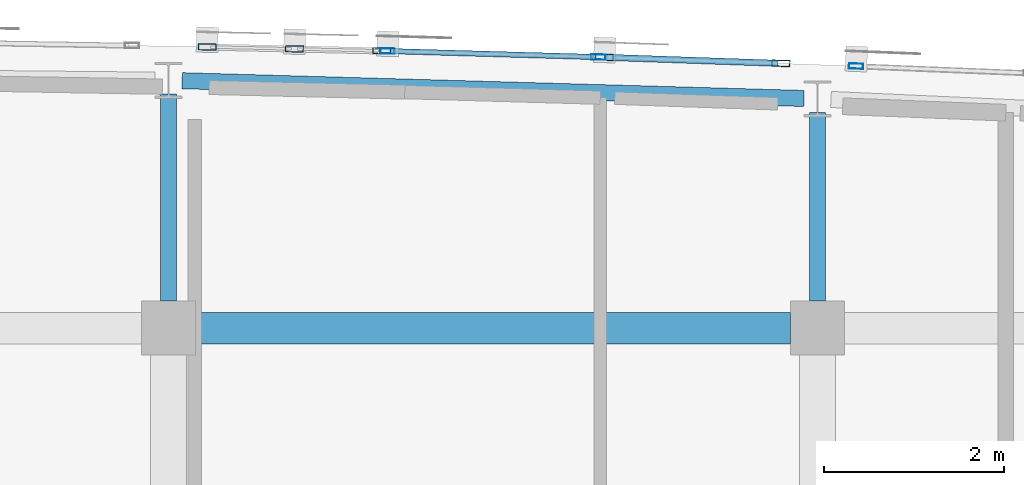
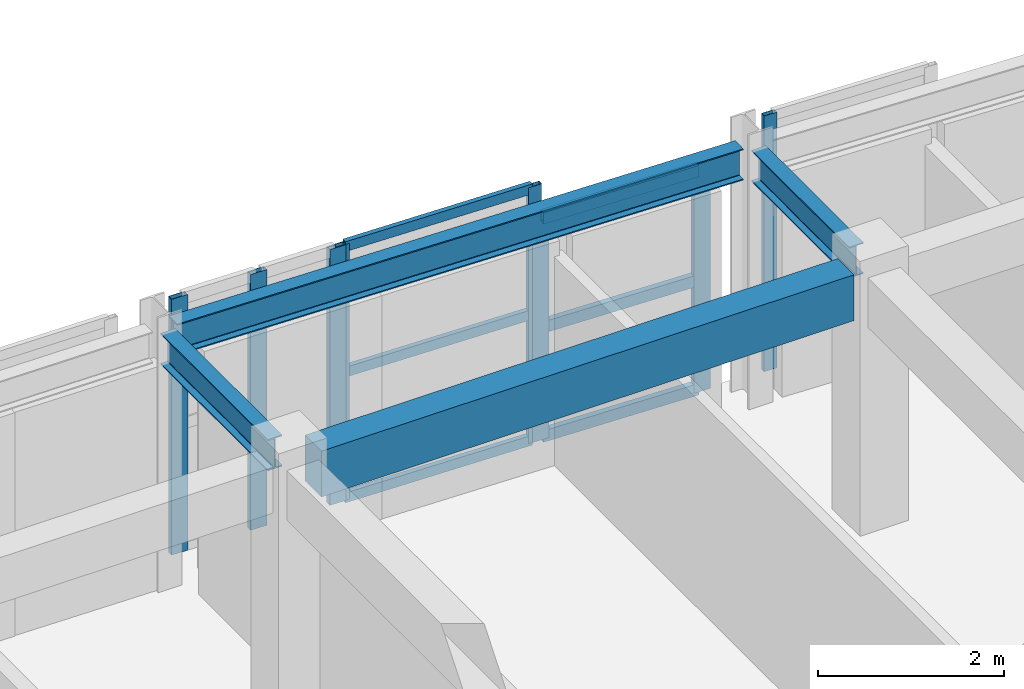
# One storey, part 20 of 50: 14 members, 4 beams, 4 elements without a shape of their own.
"""IFC4 building model written with IfcOpenShell, lengths in metres."""

from ifc_helpers import new_model, si_unit, direction, frame, origin, origin_2d, place, context, subcontext, project, spatial, rectangle, hollow_rectangle, i_section, extrude, material, layer, layer_set, material_profile, profile_set, type_object, element, aggregate, save


model = new_model("IFC4")

# Units and contexts
model_context = context("Model", 3, precision=1e-05, world=origin(), true_north=direction((0.0, 1.0)))
body_context = subcontext(model_context, "Body", "Model", "MODEL_VIEW")
ifc_project = project(units=[si_unit("LENGTHUNIT", "METRE"), si_unit("AREAUNIT", "SQUARE_METRE"), si_unit("VOLUMEUNIT", "CUBIC_METRE"), si_unit("PLANEANGLEUNIT", "RADIAN"), si_unit("MASSUNIT", "GRAM", prefix="KILO")], contexts=[model_context])

# Site, building, storey
site_placement = place(None, origin())
site = spatial("IfcSite", under=ifc_project, at=site_placement, CompositionType="ELEMENT")
building_placement = place(site_placement, origin())
building = spatial("IfcBuilding", under=site, at=building_placement, Name="Carrowvane Square Congress Hotel", CompositionType="ELEMENT")
storey_placement = place(building_placement, frame((0.0, 0.0, 22.800048828125)))
storey = spatial("IfcBuildingStorey", under=building, at=storey_placement, Name="L05", CompositionType="ELEMENT", Elevation=22.800048828125)

# Beams
ifc_material_1 = material(Name="Concrete C35/45", Category="concrete")
ifc_material_profile_1 = material_profile(ifc_material_1, rectangle(XDim=0.35009765625, YDim=0.60009765625, at=origin_2d()), Name="RC 350x600")
ifc_profile_set_1 = profile_set([ifc_material_profile_1], Name="Concrete C35/45")
beam_type_1 = type_object("IfcBeamType", Name="BM-RC-350x600", PredefinedType="BEAM", material=ifc_profile_set_1)
beam_1_placement = place(storey_placement, frame((105.5, 113.39990234375, 3.050048828125), z_axis=(1.0, 0.0, 0.0), x_axis=(0.0, 1.0, 0.0)))
element("IfcBeam", 1, at=beam_1_placement, inside=storey, type_object=beam_type_1, Name="L06 girder R/14-15", PredefinedType="BEAM", context=body_context, shape_type="SweptSolid", body=[
    extrude(rectangle(XDim=0.35009765625, YDim=0.60009765625, at=origin_2d()), origin(), (0.0, 0.0, 1.0), 6.60009765625),
])
ifc_material_2 = material(Name="Steel S355", Category="steel")
ifc_material_profile_2 = material_profile(ifc_material_2, i_section(OverallWidth=0.1787109375, OverallDepth=0.409423828125, WebThickness=0.0087890625, FlangeThickness=0.014404296875, FilletRadius=0.01025390625, at=origin_2d()), Name="UKB 406x178x67")
ifc_profile_set_2 = profile_set([ifc_material_profile_2], Name="Steel S355")
beam_type_2 = type_object("IfcBeamType", Name="BM-ST-UKB406", PredefinedType="BEAM", material=ifc_profile_set_2)
beam_2_placement = place(storey_placement, frame((105.349853515625, 116.1455078125, 3.145263671875), z_axis=(0.999591595899, -0.028576938382, 0.0), x_axis=(0.028576938382, 0.999591595899, 0.0)))
element("IfcBeam", 2, at=beam_2_placement, inside=storey, type_object=beam_type_2, Name="L06 curved north spandrel", PredefinedType="BEAM", context=body_context, shape_type="SweptSolid", body=[
    extrude(i_section(OverallWidth=0.1787109375, OverallDepth=0.409423828125, WebThickness=0.0087890625, FlangeThickness=0.014404296875, FilletRadius=0.01025390625, at=origin_2d()), origin(), (0.0, 0.0, 1.0), 6.903076171875),
])
beam_3_placement = place(storey_placement, frame((105.199951171875, 113.699951171875, 3.145263671875), z_axis=(0.0, 1.0, 0.0), x_axis=(-1.0, 0.0, 0.0)))
element("IfcBeam", 3, at=beam_3_placement, inside=storey, type_object=beam_type_2, Name="L06 radial north beam 14", PredefinedType="BEAM", context=body_context, shape_type="SweptSolid", body=[
    extrude(i_section(OverallWidth=0.1787109375, OverallDepth=0.409423828125, WebThickness=0.0087890625, FlangeThickness=0.014404296875, FilletRadius=0.01025390625, at=origin_2d()), origin(), (0.0, 0.0, 1.0), 2.2998046875),
])
beam_4_placement = place(storey_placement, frame((112.39990234375, 113.699951171875, 3.145263671875), z_axis=(0.0, 1.0, 0.0), x_axis=(-1.0, 0.0, 0.0)))
element("IfcBeam", 4, at=beam_4_placement, inside=storey, type_object=beam_type_2, Name="L06 radial north beam 15", PredefinedType="BEAM", context=body_context, shape_type="SweptSolid", body=[
    extrude(i_section(OverallWidth=0.1787109375, OverallDepth=0.409423828125, WebThickness=0.0087890625, FlangeThickness=0.014404296875, FilletRadius=0.01025390625, at=origin_2d()), origin(), (0.0, 0.0, 1.0), 2.093994140625),
])

# Curtain wall, members
ifc_material_3 = material(Name="Anodised aluminium", Category="aluminium")
ifc_layer_1 = layer(ifc_material_3, 0.162109375)
ifc_layer_set_1 = layer_set([ifc_layer_1], Name="Anodised aluminium")
curtain_wall_type_1 = type_object("IfcCurtainWallType", Name="CW-SYS-1", PredefinedType="NOTDEFINED", material=ifc_layer_set_1)
curtain_wall_1_placement = place(storey_placement, origin())
curtain_wall_1 = element("IfcCurtainWall", 5, at=curtain_wall_1_placement, inside=storey, type_object=curtain_wall_type_1, Name="L05 unitised curtain wall 336", PredefinedType="NOTDEFINED")
ifc_material_4 = material(Name="Anodised aluminium", Category="aluminium")
ifc_material_profile_3 = material_profile(ifc_material_4, hollow_rectangle(XDim=0.06005859375, YDim=0.159912109375, WallThickness=0.00390625, at=origin_2d()), Name="CW-ML 60x160x4")
ifc_profile_set_3 = profile_set([ifc_material_profile_3], Name="Anodised aluminium")
member_type_1 = type_object("IfcMemberType", Name="CW-MUL-1", PredefinedType="MULLION", material=ifc_profile_set_3)
member_1_placement = place(storey_placement, frame((107.6298828125, 116.474853515625, 0.0), z_axis=(0.0, 0.0, 1.0), x_axis=(0.028638010501, 0.999589848065, 0.0)))
member_1 = element("IfcMember", 6, at=member_1_placement, type_object=member_type_1, Name="CW-1 mullion 1", PredefinedType="MULLION", context=body_context, shape_type="SweptSolid", body=[
    extrude(hollow_rectangle(XDim=0.06005859375, YDim=0.159912109375, WallThickness=0.00390625, at=origin_2d()), origin(), (0.0, 0.0, 1.0), 3.349853515625),
])
member_2_placement = place(storey_placement, frame((109.969970703125, 116.40771484375, 0.0), z_axis=(0.0, 0.0, 1.0), x_axis=(0.028638010501, 0.999589848065, 0.0)))
member_2 = element("IfcMember", 7, at=member_2_placement, type_object=member_type_1, Name="CW-1 mullion 2", PredefinedType="MULLION", context=body_context, shape_type="SweptSolid", body=[
    extrude(hollow_rectangle(XDim=0.06005859375, YDim=0.159912109375, WallThickness=0.00390625, at=origin_2d()), origin(), (0.0, 0.0, 1.0), 3.349853515625),
])

# Curtain wall, member
ifc_material_5 = material(Name="Anodised aluminium", Category="aluminium")
ifc_layer_2 = layer(ifc_material_5, 0.18603515625)
ifc_layer_set_2 = layer_set([ifc_layer_2], Name="Anodised aluminium")
curtain_wall_type_2 = type_object("IfcCurtainWallType", Name="CW-SYS-3", PredefinedType="NOTDEFINED", material=ifc_layer_set_2)
curtain_wall_2_placement = place(storey_placement, origin())
curtain_wall_2 = element("IfcCurtainWall", 8, at=curtain_wall_2_placement, inside=storey, type_object=curtain_wall_type_2, Name="L05 unitised curtain wall 338", PredefinedType="NOTDEFINED")
member_3_placement = place(storey_placement, frame((112.828857421875, 116.306884765625, 0.0), z_axis=(0.0, 0.0, 1.0), x_axis=(0.040130957403, 0.999194428656, 0.0)))
member_3 = element("IfcMember", 9, at=member_3_placement, type_object=member_type_1, Name="CW-3 mullion 1", PredefinedType="MULLION", context=body_context, shape_type="SweptSolid", body=[
    extrude(hollow_rectangle(XDim=0.06005859375, YDim=0.159912109375, WallThickness=0.00390625, at=origin_2d()), origin(), (0.0, 0.0, 1.0), 3.349853515625),
])
aggregate(curtain_wall_2, [member_3])

# Curtain wall, members
ifc_material_6 = material(Name="Anodised aluminium", Category="aluminium")
ifc_layer_3 = layer(ifc_material_6, 0.24609375)
ifc_layer_set_3 = layer_set([ifc_layer_3], Name="Anodised aluminium")
curtain_wall_type_3 = type_object("IfcCurtainWallType", Name="CW-SYS-8", PredefinedType="NOTDEFINED", material=ifc_layer_set_3)
curtain_wall_3_placement = place(storey_placement, origin())
curtain_wall_3 = element("IfcCurtainWall", 10, at=curtain_wall_3_placement, inside=storey, type_object=curtain_wall_type_3, Name="L05 unitised curtain wall 335", PredefinedType="NOTDEFINED")
ifc_material_7 = material(Name="Anodised aluminium", Category="aluminium")
ifc_material_profile_4 = material_profile(ifc_material_7, hollow_rectangle(XDim=0.070068359375, YDim=0.199951171875, WallThickness=0.0048828125, at=origin_2d()), Name="CW-ML 70x200x5")
ifc_profile_set_4 = profile_set([ifc_material_profile_4], Name="Anodised aluminium")
member_type_2 = type_object("IfcMemberType", Name="CW-MUL-2", PredefinedType="MULLION", material=ifc_profile_set_4)
member_4_placement = place(storey_placement, frame((105.627197265625, 116.52001953125, 0.0), z_axis=(0.0, 0.0, 1.0), x_axis=(0.022517686606, 0.99974644475, 0.0)))
member_4 = element("IfcMember", 11, at=member_4_placement, type_object=member_type_2, Name="CW-8 mullion 1", PredefinedType="MULLION", context=body_context, shape_type="SweptSolid", body=[
    extrude(hollow_rectangle(XDim=0.070068359375, YDim=0.199951171875, WallThickness=0.0048828125, at=origin_2d()), origin(), (0.0, 0.0, 1.0), 3.349853515625),
])
member_5_placement = place(storey_placement, frame((106.59619140625, 116.498291015625, 0.0), z_axis=(0.0, 0.0, 1.0), x_axis=(0.022517686606, 0.99974644475, 0.0)))
member_5 = element("IfcMember", 12, at=member_5_placement, type_object=member_type_2, Name="CW-8 mullion 2", PredefinedType="MULLION", context=body_context, shape_type="SweptSolid", body=[
    extrude(hollow_rectangle(XDim=0.070068359375, YDim=0.199951171875, WallThickness=0.0048828125, at=origin_2d()), origin(), (0.0, 0.0, 1.0), 3.349853515625),
])
member_6_placement = place(storey_placement, frame((107.56494140625, 116.4765625, 0.0), z_axis=(0.0, 0.0, 1.0), x_axis=(0.022517686606, 0.99974644475, 0.0)))
member_6 = element("IfcMember", 13, at=member_6_placement, type_object=member_type_2, Name="CW-8 mullion 3", PredefinedType="MULLION", context=body_context, shape_type="SweptSolid", body=[
    extrude(hollow_rectangle(XDim=0.070068359375, YDim=0.199951171875, WallThickness=0.0048828125, at=origin_2d()), origin(), (0.0, 0.0, 1.0), 3.349853515625),
])
aggregate(curtain_wall_3, [member_4, member_5, member_6])

ifc_material_8 = material(Name="Anodised aluminium", Category="aluminium")
ifc_layer_4 = layer(ifc_material_8, 0.174072265625)
ifc_layer_set_4 = layer_set([ifc_layer_4], Name="Anodised aluminium")
curtain_wall_type_4 = type_object("IfcCurtainWallType", Name="CW-SYS-2", PredefinedType="NOTDEFINED", material=ifc_layer_set_4)
curtain_wall_4_placement = place(storey_placement, origin())
curtain_wall_4 = element("IfcCurtainWall", 14, at=curtain_wall_4_placement, inside=storey, type_object=curtain_wall_type_4, Name="L05 unitised curtain wall 337", PredefinedType="NOTDEFINED")
member_7_placement = place(storey_placement, frame((110.034912109375, 116.40576171875, 0.0), z_axis=(0.0, 0.0, 1.0), x_axis=(0.034529948347, 0.999403663525, 0.0)))
member_7 = element("IfcMember", 15, at=member_7_placement, type_object=member_type_2, Name="CW-2 mullion 1", PredefinedType="MULLION", context=body_context, shape_type="SweptSolid", body=[
    extrude(hollow_rectangle(XDim=0.070068359375, YDim=0.199951171875, WallThickness=0.0048828125, at=origin_2d()), origin(), (0.0, 0.0, 1.0), 2.925537109375),
])
member_8_placement = place(storey_placement, frame((111.99462890625, 116.338134765625, 0.0), z_axis=(0.0, 0.0, 1.0), x_axis=(0.034529948347, 0.999403663525, 0.0)))
member_8 = element("IfcMember", 16, at=member_8_placement, type_object=member_type_2, Name="CW-2 mullion 2", PredefinedType="MULLION", context=body_context, shape_type="SweptSolid", body=[
    extrude(hollow_rectangle(XDim=0.070068359375, YDim=0.199951171875, WallThickness=0.0048828125, at=origin_2d()), origin(), (0.0, 0.0, 1.0), 2.925537109375),
])

# Member
ifc_material_9 = material(Name="Anodised aluminium", Category="aluminium")
ifc_material_profile_5 = material_profile(ifc_material_9, hollow_rectangle(XDim=0.06005859375, YDim=0.1298828125, WallThickness=0.00390625, at=origin_2d()), Name="CW-TR 60x130x4")
ifc_profile_set_5 = profile_set([ifc_material_profile_5], Name="Anodised aluminium")
member_type_3 = type_object("IfcMemberType", Name="CW-TRN-1", PredefinedType="USERDEFINED", material=ifc_profile_set_5)
member_9_placement = place(storey_placement, frame((107.659912109375, 116.473876953125, 0.030029296875), z_axis=(0.999591562471, -0.028578107632, 0.0), x_axis=(0.028578107632, 0.999591562471, 0.0)))
member_9 = element("IfcMember", 17, at=member_9_placement, type_object=member_type_3, Name="CW-1 transom 1.1", ObjectType="TRANSOM", PredefinedType="USERDEFINED", context=body_context, shape_type="SweptSolid", body=[
    extrude(hollow_rectangle(XDim=0.06005859375, YDim=0.1298828125, WallThickness=0.00390625, at=origin_2d()), origin(), (0.0, 0.0, 1.0), 2.281005859375),
])

member_10_placement = place(storey_placement, frame((107.659912109375, 116.473876953125, 1.675048828125), z_axis=(0.999591562471, -0.028578107632, 0.0), x_axis=(0.028578107632, 0.999591562471, 0.0)))
member_10 = element("IfcMember", 18, at=member_10_placement, type_object=member_type_3, Name="CW-1 transom 1.2", ObjectType="TRANSOM", PredefinedType="USERDEFINED", context=body_context, shape_type="SweptSolid", body=[
    extrude(hollow_rectangle(XDim=0.06005859375, YDim=0.1298828125, WallThickness=0.00390625, at=origin_2d()), origin(), (0.0, 0.0, 1.0), 2.281005859375),
])

member_11_placement = place(storey_placement, frame((107.659912109375, 116.473876953125, 3.320068359375), z_axis=(0.999591562471, -0.028578107632, 0.0), x_axis=(0.028578107632, 0.999591562471, 0.0)))
member_11 = element("IfcMember", 19, at=member_11_placement, type_object=member_type_3, Name="CW-1 transom 1.3", ObjectType="TRANSOM", PredefinedType="USERDEFINED", context=body_context, shape_type="SweptSolid", body=[
    extrude(hollow_rectangle(XDim=0.06005859375, YDim=0.1298828125, WallThickness=0.00390625, at=origin_2d()), origin(), (0.0, 0.0, 1.0), 2.281005859375),
])

aggregate(curtain_wall_1, [member_1, member_2, member_9, member_10, member_11])

ifc_material_10 = material(Name="Anodised aluminium", Category="aluminium")
ifc_material_profile_6 = material_profile(ifc_material_10, hollow_rectangle(XDim=0.070068359375, YDim=0.14990234375, WallThickness=0.0048828125, at=origin_2d()), Name="CW-TR 70x150x5")
ifc_profile_set_6 = profile_set([ifc_material_profile_6], Name="Anodised aluminium")
member_type_4 = type_object("IfcMemberType", Name="CW-TRN-2", PredefinedType="USERDEFINED", material=ifc_profile_set_6)
member_12_placement = place(storey_placement, frame((110.070068359375, 116.404541015625, 0.034912109375), z_axis=(0.999400927338, -0.034609051367, 0.0), x_axis=(0.034609051367, 0.999400927338, 0.0)))
member_12 = element("IfcMember", 20, at=member_12_placement, type_object=member_type_4, Name="CW-2 transom 1.1", ObjectType="TRANSOM", PredefinedType="USERDEFINED", context=body_context, shape_type="SweptSolid", body=[
    extrude(hollow_rectangle(XDim=0.070068359375, YDim=0.14990234375, WallThickness=0.0048828125, at=origin_2d()), origin(), (0.0, 0.0, 1.0), 1.890625),
])

member_13_placement = place(storey_placement, frame((110.070068359375, 116.404541015625, 1.462646484375), z_axis=(0.999400927338, -0.034609051367, 0.0), x_axis=(0.034609051367, 0.999400927338, 0.0)))
member_13 = element("IfcMember", 21, at=member_13_placement, type_object=member_type_4, Name="CW-2 transom 1.2", ObjectType="TRANSOM", PredefinedType="USERDEFINED", context=body_context, shape_type="SweptSolid", body=[
    extrude(hollow_rectangle(XDim=0.070068359375, YDim=0.14990234375, WallThickness=0.0048828125, at=origin_2d()), origin(), (0.0, 0.0, 1.0), 1.890625),
])

member_14_placement = place(storey_placement, frame((110.070068359375, 116.404541015625, 2.890625), z_axis=(0.999400927338, -0.034609051367, 0.0), x_axis=(0.034609051367, 0.999400927338, 0.0)))
member_14 = element("IfcMember", 22, at=member_14_placement, type_object=member_type_4, Name="CW-2 transom 1.3", ObjectType="TRANSOM", PredefinedType="USERDEFINED", context=body_context, shape_type="SweptSolid", body=[
    extrude(hollow_rectangle(XDim=0.070068359375, YDim=0.14990234375, WallThickness=0.0048828125, at=origin_2d()), origin(), (0.0, 0.0, 1.0), 1.890625),
])

aggregate(curtain_wall_4, [member_7, member_8, member_12, member_13, member_14])

save(model, "model.ifc")
